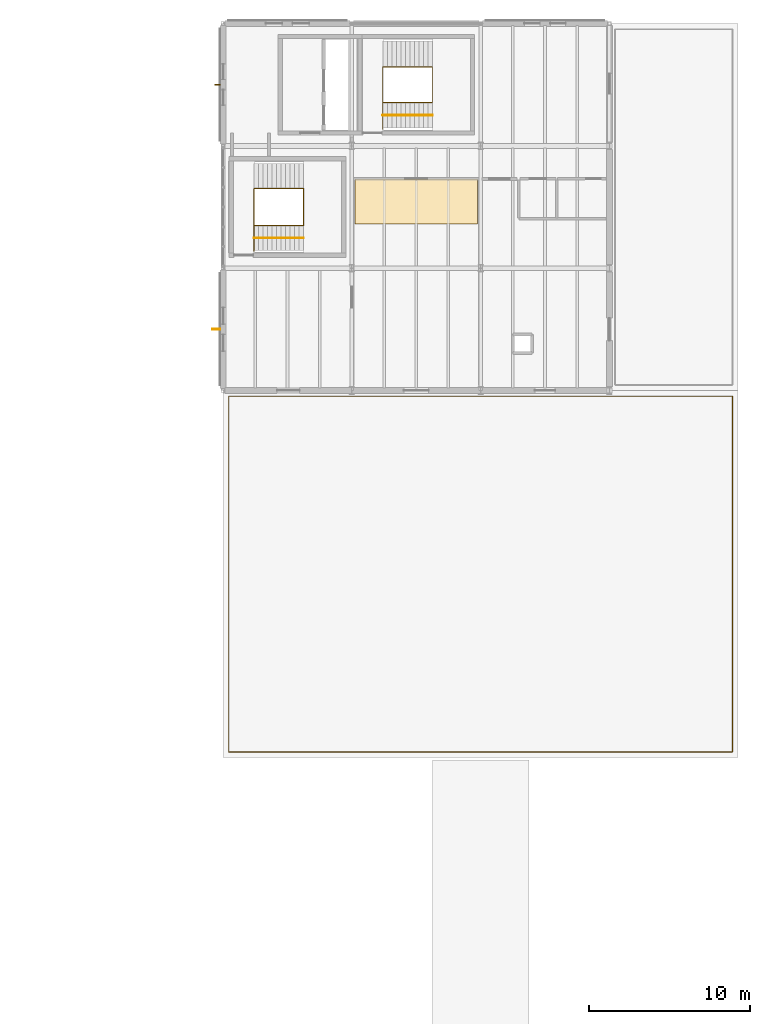
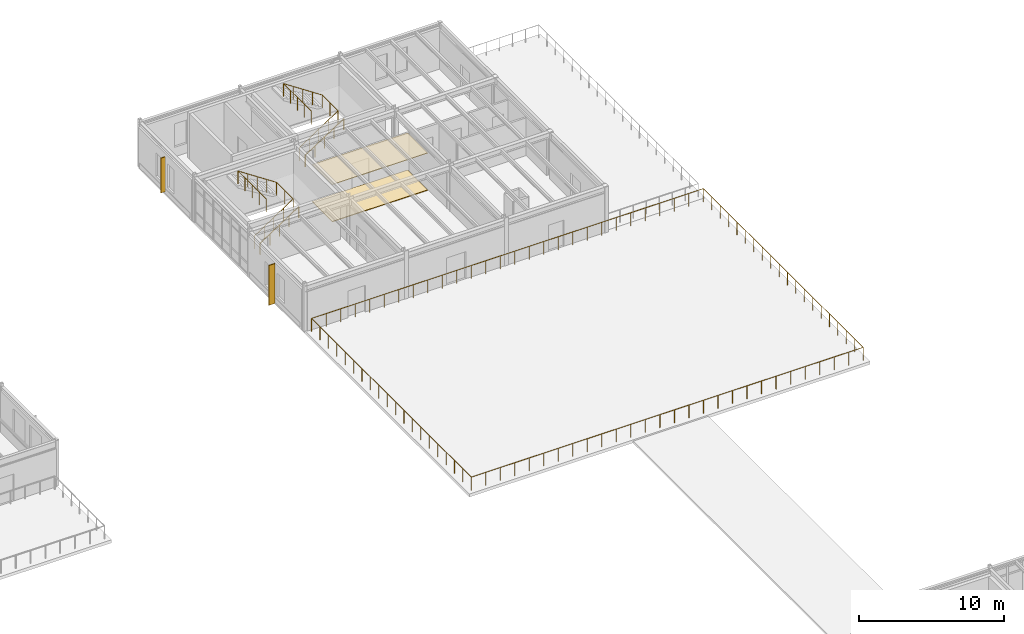
# One storey, part 113 of 114: 5 railings, 2 coverings, 2 shading devices.
"""IFC4 building model written with IfcOpenShell, lengths in metres."""

import ifcopenshell
import ifcopenshell.guid

model = None  # the IFC model being written
_history = None  # IfcOwnerHistory: only IFC2X3 demands one
_inside = {}  # id of a spatial element -> (the spatial element, [elements in it])
_under = {}  # id of a project, library or spatial element -> (it, [spatial elements below it])
_declared = {}  # id of a project -> (the project, [libraries it declares])
_typed = {}  # id of a type object -> (the type object, [elements of that type])
_made_of = {}  # id of a material, layer set ... -> (it, [elements and type objects made of it])


def new_model(schema):
    """Start an empty IFC model of exactly this schema.

    Asked for "IFC4X3", IfcOpenShell would pick the latest addendum, in which some entities
    have other attributes; the version numbers below select the first issue.
    IFC2X3 requires an IfcOwnerHistory on every rooted entity: one is made here for all.
    """
    global model, _history
    if schema == "IFC4X3":
        model = ifcopenshell.file(schema_version=(4, 3, 0, 0))
    else:
        model = ifcopenshell.file(schema=schema)
    _inside.clear()
    _under.clear()
    _declared.clear()
    _typed.clear()
    _made_of.clear()
    _history = None
    if model.schema == "IFC2X3":
        org = make("IfcOrganization", Name="unknown")
        user = make(
            "IfcPersonAndOrganization",
            ThePerson=make("IfcPerson", FamilyName="unknown"),
            TheOrganization=org,
        )
        app = make(
            "IfcApplication",
            ApplicationDeveloper=org,
            Version="unknown",
            ApplicationFullName="unknown",
            ApplicationIdentifier="unknown",
        )
        _history = make(
            "IfcOwnerHistory",
            OwningUser=user,
            OwningApplication=app,
            ChangeAction="ADDED",
            CreationDate=0,
        )
    return model


def make(cls, **values):
    """One entity of the class cls with the attributes given. An attribute that is None is left unset."""
    return model.create_entity(
        cls, **{name: value for name, value in values.items() if value is not None}
    )


def rooted(cls, **values):
    """An entity with a GlobalId (a new one), such as an element, a storey or a relation."""
    return make(cls, GlobalId=ifcopenshell.guid.new(), OwnerHistory=_history, **values)


def si_unit(unit_type, name, prefix=None):
    """IfcSIUnit, for example si_unit("LENGTHUNIT", "METRE", prefix="MILLI")."""
    return make("IfcSIUnit", UnitType=unit_type, Prefix=prefix, Name=name)


def assignment(units):
    """IfcUnitAssignment: the units of a project."""
    return None if units is None else make("IfcUnitAssignment", Units=units)


def point(xyz):
    """IfcCartesianPoint."""
    return None if xyz is None else make("IfcCartesianPoint", Coordinates=xyz)


def direction(xyz):
    """IfcDirection."""
    return None if xyz is None else make("IfcDirection", DirectionRatios=xyz)


def frame(location, z_axis=None, x_axis=None):
    """IfcAxis2Placement3D, a coordinate frame: its origin and axes. An axis left out is left unset."""
    return make(
        "IfcAxis2Placement3D",
        Location=point(location),
        Axis=direction(z_axis),
        RefDirection=direction(x_axis),
    )


def frame_2d(location, x_axis=None):
    """IfcAxis2Placement2D, a coordinate frame in the plane: its origin and x axis."""
    return make(
        "IfcAxis2Placement2D", Location=point(location), RefDirection=direction(x_axis)
    )


def origin():
    """The frame at (0, 0, 0) with its axes left unset."""
    return frame((0.0, 0.0, 0.0))


def origin_2d():
    """The frame at (0, 0) in the plane with its x axis left unset."""
    return frame_2d((0.0, 0.0))


def place(relative_to, where):
    """IfcLocalPlacement: puts the frame where relative to a parent placement (None: the world)."""
    return make(
        "IfcLocalPlacement", PlacementRelTo=relative_to, RelativePlacement=where
    )


def context(
    kind, dimensions, precision=None, world=None, true_north=None, identifier=None
):
    """IfcGeometricRepresentationContext, for example the 3D "Model" context."""
    return make(
        "IfcGeometricRepresentationContext",
        ContextIdentifier=identifier,
        ContextType=kind,
        CoordinateSpaceDimension=dimensions,
        Precision=precision,
        WorldCoordinateSystem=world,
        TrueNorth=true_north,
    )


def subcontext(parent, identifier, kind, view, scale=None):
    """IfcGeometricRepresentationSubContext, for example "Body" below "Model"."""
    return make(
        "IfcGeometricRepresentationSubContext",
        ContextIdentifier=identifier,
        ContextType=kind,
        ParentContext=parent,
        TargetScale=scale,
        TargetView=view,
    )


def project(units=None, contexts=None):
    """IfcProject with its units and contexts."""
    return rooted(
        "IfcProject",
        Name="project",
        RepresentationContexts=contexts,
        UnitsInContext=assignment(units),
    )


def spatial(cls, under=None, at=None, **own):
    """A site, building, storey or space (cls), placed at a placement, below another one or the project."""
    s = rooted(cls, ObjectPlacement=at, **own)
    if under is not None:
        _under.setdefault(under.id(), (under, []))[1].append(s)
    return s


def polyline(points):
    """IfcPolyline through the points."""
    return make("IfcPolyline", Points=[point(p) for p in points])


def profile(cls, at=None, kind="AREA", **sizes):
    """A parametric profile (cls). Its sizes go by their IFC names, for example OverallWidth=200.0."""
    return make(cls, ProfileType=kind, Position=at, **sizes)


def rectangle(**sizes):
    """IfcRectangleProfileDef."""
    return profile("IfcRectangleProfileDef", **sizes)


def circle(**sizes):
    """IfcCircleProfileDef."""
    return profile("IfcCircleProfileDef", **sizes)


def outline(outer, holes=None, kind="AREA"):
    """IfcArbitraryClosedProfileDef: a profile drawn as a closed curve; with holes, ...WithVoids."""
    if holes is None:
        return make("IfcArbitraryClosedProfileDef", ProfileType=kind, OuterCurve=outer)
    return make(
        "IfcArbitraryProfileDefWithVoids",
        ProfileType=kind,
        OuterCurve=outer,
        InnerCurves=holes,
    )


def extrude(swept, where, along, depth):
    """IfcExtrudedAreaSolid: the profile swept, set in the frame where, extruded along a direction by depth."""
    return make(
        "IfcExtrudedAreaSolid",
        SweptArea=swept,
        Position=where,
        ExtrudedDirection=direction(along),
        Depth=depth,
    )


def shape(context_of_items, identifier, shape_type, items):
    """IfcShapeRepresentation: the items that make up one representation, for example the "Body"."""
    return make(
        "IfcShapeRepresentation",
        ContextOfItems=context_of_items,
        RepresentationIdentifier=identifier,
        RepresentationType=shape_type,
        Items=items,
    )


def material(Name=None, Category=None):
    """IfcMaterial."""
    return make("IfcMaterial", Name=Name, Category=Category)


def layer(
    of_material, thickness, ventilated=None, Name=None, Category=None, Priority=None
):
    """IfcMaterialLayer: one layer of a wall or slab, of a material (None: an air gap)."""
    return make(
        "IfcMaterialLayer",
        Material=of_material,
        LayerThickness=thickness,
        IsVentilated=ventilated,
        Name=Name,
        Category=Category,
        Priority=Priority,
    )


def layer_set(layers, Name=None):
    """IfcMaterialLayerSet."""
    return make("IfcMaterialLayerSet", MaterialLayers=layers, LayerSetName=Name)


def made_of(thing, what):
    """Note that an element or type object is made of a material, layer set ...; save() writes the relation."""
    if what is not None:
        _made_of.setdefault(what.id(), (what, []))[1].append(thing)
    return thing


def type_object(cls, material=None, **own):
    """A type object (cls), such as IfcWallType, which elements share."""
    return made_of(rooted(cls, **own), material)


def element(
    cls,
    number,
    at=None,
    inside=None,
    cuts=None,
    type_object=None,
    material=None,
    context=None,
    identifier="Body",
    shape_type=None,
    held_by="IfcProductDefinitionShape",
    body=None,
    shapes=None,
    **own,
):
    """One element of the class cls, such as IfcWall. Its Tag is "e" and its number.

    at: its placement. inside: the storey or other place that contains it. cuts: it is an
    opening in that element (IfcRelVoidsElement). A single representation is given by context,
    identifier, shape_type and body (its items); several are given by shapes. held_by: the class
    of the entity that holds the representations. save() writes the other relations.
    """
    e = rooted(cls, Tag="e%d" % number, ObjectPlacement=at, **own)
    if body is not None:
        shapes = [shape(context, identifier, shape_type, body)]
    if shapes is not None:
        e.Representation = make(held_by, Representations=shapes)
    if inside is not None:
        _inside.setdefault(inside.id(), (inside, []))[1].append(e)
    if cuts is not None:
        rooted(
            "IfcRelVoidsElement", RelatingBuildingElement=cuts, RelatedOpeningElement=e
        )
    if type_object is not None:
        _typed.setdefault(type_object.id(), (type_object, []))[1].append(e)
    return made_of(e, material)


def aggregate(whole, parts):
    """IfcRelAggregates: a whole, such as a stair, and the parts it consists of."""
    return rooted("IfcRelAggregates", RelatingObject=whole, RelatedObjects=parts)


def save(model, path):
    """Write the relations noted so far, then the file.

    IfcRelAggregates (storeys below a building ...), IfcRelContainedInSpatialStructure (elements
    in a storey), IfcRelDefinesByType, IfcRelAssociatesMaterial and IfcRelDeclares: one each for
    every whole, place, type object, material and project.
    """
    for whole, parts in _under.values():
        aggregate(whole, parts)
    for where, things in _inside.values():
        rooted(
            "IfcRelContainedInSpatialStructure",
            RelatedElements=things,
            RelatingStructure=where,
        )
    for kind, things in _typed.values():
        rooted("IfcRelDefinesByType", RelatedObjects=things, RelatingType=kind)
    for what, things in _made_of.values():
        rooted("IfcRelAssociatesMaterial", RelatedObjects=things, RelatingMaterial=what)
    for by, libraries in _declared.values():
        rooted("IfcRelDeclares", RelatingContext=by, RelatedDefinitions=libraries)
    model.write(path)


model = new_model("IFC4")

# Units and contexts
model_context = context("Model", 3, precision=1e-05, world=origin(), true_north=direction((0.0, 1.0)))
body_context = subcontext(model_context, "Body", "Model", "MODEL_VIEW")
ifc_project = project(units=[si_unit("LENGTHUNIT", "METRE"), si_unit("AREAUNIT", "SQUARE_METRE"), si_unit("VOLUMEUNIT", "CUBIC_METRE"), si_unit("PLANEANGLEUNIT", "RADIAN"), si_unit("MASSUNIT", "GRAM", prefix="KILO")], contexts=[model_context])

# Site, building, storey
site_placement = place(None, origin())
site = spatial("IfcSite", under=ifc_project, at=site_placement, CompositionType="ELEMENT")
building_placement = place(site_placement, origin())
building = spatial("IfcBuilding", under=site, at=building_placement, Name="Montecoro Central Library", CompositionType="ELEMENT")
storey_placement = place(building_placement, frame((0.0, 0.0, 13.260009765625)))
storey = spatial("IfcBuildingStorey", under=building, at=storey_placement, Name="L03", CompositionType="ELEMENT", Elevation=13.260009765625)

# Coverings
ifc_material_1 = material(Name="Acoustic perforated mineral ceiling")
ifc_layer_1 = layer(ifc_material_1, 0.048095703125)
ifc_layer_set_1 = layer_set([ifc_layer_1], Name="Acoustic perforated mineral ceiling")
covering_type_1 = type_object("IfcCoveringType", Name="COV-CLG-04", PredefinedType="CEILING", material=ifc_layer_set_1)
covering_1_placement = place(storey_placement, frame((0.0, 0.0, 3.132080078125)))
element("IfcCovering", 1, at=covering_1_placement, inside=storey, type_object=covering_type_1, Name="CLG-SP-V5-L03-R2P1", PredefinedType="CEILING", context=body_context, shape_type="SweptSolid", body=[
    extrude(outline(polyline([(149.18994140625, 106.550048828125), (156.81005859375, 106.550048828125), (156.81005859375, 109.35009765625), (149.18994140625, 109.35009765625), (149.18994140625, 106.550048828125)])), origin(), (0.0, 0.0, 1.0), 0.0478515625),
])
ifc_material_2 = material(Name="Neapolitan brass-inlaid terrazzo flooring")
ifc_layer_2 = layer(ifc_material_2, 0.052001953125)
ifc_layer_set_2 = layer_set([ifc_layer_2], Name="Neapolitan brass-inlaid terrazzo flooring")
covering_type_2 = type_object("IfcCoveringType", Name="COV-FLR-04", PredefinedType="FLOORING", material=ifc_layer_set_2)
covering_2_placement = place(storey_placement, origin())
element("IfcCovering", 2, at=covering_2_placement, inside=storey, type_object=covering_type_2, Name="FLR-SP-V5-L03-R2P1", PredefinedType="FLOORING", context=body_context, shape_type="SweptSolid", body=[
    extrude(outline(polyline([(149.18994140625, 106.550048828125), (156.81005859375, 106.550048828125), (156.81005859375, 109.35009765625), (149.18994140625, 109.35009765625), (149.18994140625, 106.550048828125)])), origin(), (0.0, 0.0, 1.0), 0.052001953125),
])

# Railings
ifc_material_3 = material(Name="Architectural bronze and laminated safety balustrade", Category="aluminium")
railing_type_1 = type_object("IfcRailingType", Name="GRD-EXT-110", PredefinedType="GUARDRAIL", material=ifc_material_3)
railing_1_placement = place(storey_placement, frame((141.35009765625, 73.75, 0.0)))
element("IfcRailing", 3, at=railing_1_placement, inside=storey, type_object=railing_type_1, Name="V5-L03-TGRD-1", PredefinedType="GUARDRAIL", context=body_context, shape_type="SweptSolid", body=[
    extrude(circle(Radius=0.02392578125, at=origin_2d()), frame((0.0, 0.0, 1.09619140625), z_axis=(1.0, 0.0, 0.0), x_axis=(0.0, 1.0, 0.0)), (0.0, 0.0, 1.0), 31.2998046875),
    extrude(circle(Radius=0.02392578125, at=origin_2d()), frame((31.2998046875, 0.0, 1.09619140625), z_axis=(0.0, 1.0, 0.0), x_axis=(-1.0, 0.0, 0.0)), (0.0, 0.0, 1.0), 22.10009765625),
    extrude(circle(Radius=0.02392578125, at=origin_2d()), frame((31.2998046875, 22.10009765625, 1.09619140625), z_axis=(-1.0, 0.0, 0.0), x_axis=(0.0, -1.0, 0.0)), (0.0, 0.0, 1.0), 31.2998046875),
    extrude(circle(Radius=0.02392578125, at=origin_2d()), frame((0.0, 22.10009765625, 1.09619140625), z_axis=(0.0, -1.0, 0.0), x_axis=(1.0, 0.0, 0.0)), (0.0, 0.0, 1.0), 22.10009765625),
    extrude(circle(Radius=0.02099609375, at=origin_2d()), origin(), (0.0, 0.0, 1.0), 1.072021484375),
    extrude(circle(Radius=0.02099609375, at=origin_2d()), frame((1.1591796875, 0.0, 0.0)), (0.0, 0.0, 1.0), 1.072021484375),
    extrude(circle(Radius=0.02099609375, at=origin_2d()), frame((2.318603515625, 0.0, 0.0)), (0.0, 0.0, 1.0), 1.072021484375),
    extrude(circle(Radius=0.02099609375, at=origin_2d()), frame((3.477783203125, 0.0, 0.0)), (0.0, 0.0, 1.0), 1.072021484375),
    extrude(circle(Radius=0.02099609375, at=origin_2d()), frame((4.636962890625, 0.0, 0.0)), (0.0, 0.0, 1.0), 1.072021484375),
    extrude(circle(Radius=0.02099609375, at=origin_2d()), frame((5.796142578125, 0.0, 0.0)), (0.0, 0.0, 1.0), 1.072021484375),
    extrude(circle(Radius=0.02099609375, at=origin_2d()), frame((6.95556640625, 0.0, 0.0)), (0.0, 0.0, 1.0), 1.072021484375),
    extrude(circle(Radius=0.02099609375, at=origin_2d()), frame((8.11474609375, 0.0, 0.0)), (0.0, 0.0, 1.0), 1.072021484375),
    extrude(circle(Radius=0.02099609375, at=origin_2d()), frame((9.27392578125, 0.0, 0.0)), (0.0, 0.0, 1.0), 1.072021484375),
    extrude(circle(Radius=0.02099609375, at=origin_2d()), frame((10.433349609375, 0.0, 0.0)), (0.0, 0.0, 1.0), 1.072021484375),
    extrude(circle(Radius=0.02099609375, at=origin_2d()), frame((11.592529296875, 0.0, 0.0)), (0.0, 0.0, 1.0), 1.072021484375),
    extrude(circle(Radius=0.02099609375, at=origin_2d()), frame((12.751708984375, 0.0, 0.0)), (0.0, 0.0, 1.0), 1.072021484375),
    extrude(circle(Radius=0.02099609375, at=origin_2d()), frame((13.9111328125, 0.0, 0.0)), (0.0, 0.0, 1.0), 1.072021484375),
    extrude(circle(Radius=0.02099609375, at=origin_2d()), frame((15.0703125, 0.0, 0.0)), (0.0, 0.0, 1.0), 1.072021484375),
    extrude(circle(Radius=0.02099609375, at=origin_2d()), frame((16.2294921875, 0.0, 0.0)), (0.0, 0.0, 1.0), 1.072021484375),
    extrude(circle(Radius=0.02099609375, at=origin_2d()), frame((17.388671875, 0.0, 0.0)), (0.0, 0.0, 1.0), 1.072021484375),
    extrude(circle(Radius=0.02099609375, at=origin_2d()), frame((18.548095703125, 0.0, 0.0)), (0.0, 0.0, 1.0), 1.072021484375),
    extrude(circle(Radius=0.02099609375, at=origin_2d()), frame((19.707275390625, 0.0, 0.0)), (0.0, 0.0, 1.0), 1.072021484375),
    extrude(circle(Radius=0.02099609375, at=origin_2d()), frame((20.866455078125, 0.0, 0.0)), (0.0, 0.0, 1.0), 1.072021484375),
    extrude(circle(Radius=0.02099609375, at=origin_2d()), frame((22.02587890625, 0.0, 0.0)), (0.0, 0.0, 1.0), 1.072021484375),
    extrude(circle(Radius=0.02099609375, at=origin_2d()), frame((23.18505859375, 0.0, 0.0)), (0.0, 0.0, 1.0), 1.072021484375),
    extrude(circle(Radius=0.02099609375, at=origin_2d()), frame((24.34423828125, 0.0, 0.0)), (0.0, 0.0, 1.0), 1.072021484375),
    extrude(circle(Radius=0.02099609375, at=origin_2d()), frame((25.503662109375, 0.0, 0.0)), (0.0, 0.0, 1.0), 1.072021484375),
    extrude(circle(Radius=0.02099609375, at=origin_2d()), frame((26.662841796875, 0.0, 0.0)), (0.0, 0.0, 1.0), 1.072021484375),
    extrude(circle(Radius=0.02099609375, at=origin_2d()), frame((27.822021484375, 0.0, 0.0)), (0.0, 0.0, 1.0), 1.072021484375),
    extrude(circle(Radius=0.02099609375, at=origin_2d()), frame((28.981201171875, 0.0, 0.0)), (0.0, 0.0, 1.0), 1.072021484375),
    extrude(circle(Radius=0.02099609375, at=origin_2d()), frame((30.140625, 0.0, 0.0)), (0.0, 0.0, 1.0), 1.072021484375),
    extrude(circle(Radius=0.02099609375, at=origin_2d()), frame((31.2998046875, 0.0, 0.0)), (0.0, 0.0, 1.0), 1.072021484375),
    extrude(circle(Radius=0.02099609375, at=origin_2d()), frame((31.2998046875, 1.1630859375, 0.0)), (0.0, 0.0, 1.0), 1.072021484375),
    extrude(circle(Radius=0.02099609375, at=origin_2d()), frame((31.2998046875, 2.326416015625, 0.0)), (0.0, 0.0, 1.0), 1.072021484375),
    extrude(circle(Radius=0.02099609375, at=origin_2d()), frame((31.2998046875, 3.489501953125, 0.0)), (0.0, 0.0, 1.0), 1.072021484375),
    extrude(circle(Radius=0.02099609375, at=origin_2d()), frame((31.2998046875, 4.652587890625, 0.0)), (0.0, 0.0, 1.0), 1.072021484375),
    extrude(circle(Radius=0.02099609375, at=origin_2d()), frame((31.2998046875, 5.81591796875, 0.0)), (0.0, 0.0, 1.0), 1.072021484375),
    extrude(circle(Radius=0.02099609375, at=origin_2d()), frame((31.2998046875, 6.97900390625, 0.0)), (0.0, 0.0, 1.0), 1.072021484375),
    extrude(circle(Radius=0.02099609375, at=origin_2d()), frame((31.2998046875, 8.14208984375, 0.0)), (0.0, 0.0, 1.0), 1.072021484375),
    extrude(circle(Radius=0.02099609375, at=origin_2d()), frame((31.2998046875, 9.305419921875, 0.0)), (0.0, 0.0, 1.0), 1.072021484375),
    extrude(circle(Radius=0.02099609375, at=origin_2d()), frame((31.2998046875, 10.468505859375, 0.0)), (0.0, 0.0, 1.0), 1.072021484375),
    extrude(circle(Radius=0.02099609375, at=origin_2d()), frame((31.2998046875, 11.631591796875, 0.0)), (0.0, 0.0, 1.0), 1.072021484375),
    extrude(circle(Radius=0.02099609375, at=origin_2d()), frame((31.2998046875, 12.794677734375, 0.0)), (0.0, 0.0, 1.0), 1.072021484375),
    extrude(circle(Radius=0.02099609375, at=origin_2d()), frame((31.2998046875, 13.9580078125, 0.0)), (0.0, 0.0, 1.0), 1.072021484375),
    extrude(circle(Radius=0.02099609375, at=origin_2d()), frame((31.2998046875, 15.12109375, 0.0)), (0.0, 0.0, 1.0), 1.072021484375),
    extrude(circle(Radius=0.02099609375, at=origin_2d()), frame((31.2998046875, 16.2841796875, 0.0)), (0.0, 0.0, 1.0), 1.072021484375),
    extrude(circle(Radius=0.02099609375, at=origin_2d()), frame((31.2998046875, 17.447509765625, 0.0)), (0.0, 0.0, 1.0), 1.072021484375),
    extrude(circle(Radius=0.02099609375, at=origin_2d()), frame((31.2998046875, 18.610595703125, 0.0)), (0.0, 0.0, 1.0), 1.072021484375),
    extrude(circle(Radius=0.02099609375, at=origin_2d()), frame((31.2998046875, 19.773681640625, 0.0)), (0.0, 0.0, 1.0), 1.072021484375),
    extrude(circle(Radius=0.02099609375, at=origin_2d()), frame((31.2998046875, 20.93701171875, 0.0)), (0.0, 0.0, 1.0), 1.072021484375),
    extrude(circle(Radius=0.02099609375, at=origin_2d()), frame((31.2998046875, 22.10009765625, 0.0)), (0.0, 0.0, 1.0), 1.072021484375),
    extrude(circle(Radius=0.02099609375, at=origin_2d()), frame((30.140625, 22.10009765625, 0.0)), (0.0, 0.0, 1.0), 1.072021484375),
    extrude(circle(Radius=0.02099609375, at=origin_2d()), frame((28.981201171875, 22.10009765625, 0.0)), (0.0, 0.0, 1.0), 1.072021484375),
    extrude(circle(Radius=0.02099609375, at=origin_2d()), frame((27.822021484375, 22.10009765625, 0.0)), (0.0, 0.0, 1.0), 1.072021484375),
    extrude(circle(Radius=0.02099609375, at=origin_2d()), frame((26.662841796875, 22.10009765625, 0.0)), (0.0, 0.0, 1.0), 1.072021484375),
    extrude(circle(Radius=0.02099609375, at=origin_2d()), frame((25.503662109375, 22.10009765625, 0.0)), (0.0, 0.0, 1.0), 1.072021484375),
    extrude(circle(Radius=0.02099609375, at=origin_2d()), frame((24.34423828125, 22.10009765625, 0.0)), (0.0, 0.0, 1.0), 1.072021484375),
    extrude(circle(Radius=0.02099609375, at=origin_2d()), frame((23.18505859375, 22.10009765625, 0.0)), (0.0, 0.0, 1.0), 1.072021484375),
    extrude(circle(Radius=0.02099609375, at=origin_2d()), frame((22.02587890625, 22.10009765625, 0.0)), (0.0, 0.0, 1.0), 1.072021484375),
    extrude(circle(Radius=0.02099609375, at=origin_2d()), frame((20.866455078125, 22.10009765625, 0.0)), (0.0, 0.0, 1.0), 1.072021484375),
    extrude(circle(Radius=0.02099609375, at=origin_2d()), frame((19.707275390625, 22.10009765625, 0.0)), (0.0, 0.0, 1.0), 1.072021484375),
    extrude(circle(Radius=0.02099609375, at=origin_2d()), frame((18.548095703125, 22.10009765625, 0.0)), (0.0, 0.0, 1.0), 1.072021484375),
    extrude(circle(Radius=0.02099609375, at=origin_2d()), frame((17.388671875, 22.10009765625, 0.0)), (0.0, 0.0, 1.0), 1.072021484375),
    extrude(circle(Radius=0.02099609375, at=origin_2d()), frame((16.2294921875, 22.10009765625, 0.0)), (0.0, 0.0, 1.0), 1.072021484375),
    extrude(circle(Radius=0.02099609375, at=origin_2d()), frame((15.0703125, 22.10009765625, 0.0)), (0.0, 0.0, 1.0), 1.072021484375),
    extrude(circle(Radius=0.02099609375, at=origin_2d()), frame((13.9111328125, 22.10009765625, 0.0)), (0.0, 0.0, 1.0), 1.072021484375),
    extrude(circle(Radius=0.02099609375, at=origin_2d()), frame((12.751708984375, 22.10009765625, 0.0)), (0.0, 0.0, 1.0), 1.072021484375),
    extrude(circle(Radius=0.02099609375, at=origin_2d()), frame((11.592529296875, 22.10009765625, 0.0)), (0.0, 0.0, 1.0), 1.072021484375),
    extrude(circle(Radius=0.02099609375, at=origin_2d()), frame((10.433349609375, 22.10009765625, 0.0)), (0.0, 0.0, 1.0), 1.072021484375),
    extrude(circle(Radius=0.02099609375, at=origin_2d()), frame((9.27392578125, 22.10009765625, 0.0)), (0.0, 0.0, 1.0), 1.072021484375),
    extrude(circle(Radius=0.02099609375, at=origin_2d()), frame((8.11474609375, 22.10009765625, 0.0)), (0.0, 0.0, 1.0), 1.072021484375),
    extrude(circle(Radius=0.02099609375, at=origin_2d()), frame((6.95556640625, 22.10009765625, 0.0)), (0.0, 0.0, 1.0), 1.072021484375),
    extrude(circle(Radius=0.02099609375, at=origin_2d()), frame((5.796142578125, 22.10009765625, 0.0)), (0.0, 0.0, 1.0), 1.072021484375),
    extrude(circle(Radius=0.02099609375, at=origin_2d()), frame((4.636962890625, 22.10009765625, 0.0)), (0.0, 0.0, 1.0), 1.072021484375),
    extrude(circle(Radius=0.02099609375, at=origin_2d()), frame((3.477783203125, 22.10009765625, 0.0)), (0.0, 0.0, 1.0), 1.072021484375),
    extrude(circle(Radius=0.02099609375, at=origin_2d()), frame((2.318603515625, 22.10009765625, 0.0)), (0.0, 0.0, 1.0), 1.072021484375),
    extrude(circle(Radius=0.02099609375, at=origin_2d()), frame((1.1591796875, 22.10009765625, 0.0)), (0.0, 0.0, 1.0), 1.072021484375),
    extrude(circle(Radius=0.02099609375, at=origin_2d()), frame((0.0, 22.10009765625, 0.0)), (0.0, 0.0, 1.0), 1.072021484375),
    extrude(circle(Radius=0.02099609375, at=origin_2d()), frame((0.0, 20.93701171875, 0.0)), (0.0, 0.0, 1.0), 1.072021484375),
    extrude(circle(Radius=0.02099609375, at=origin_2d()), frame((0.0, 19.773681640625, 0.0)), (0.0, 0.0, 1.0), 1.072021484375),
    extrude(circle(Radius=0.02099609375, at=origin_2d()), frame((0.0, 18.610595703125, 0.0)), (0.0, 0.0, 1.0), 1.072021484375),
    extrude(circle(Radius=0.02099609375, at=origin_2d()), frame((0.0, 17.447509765625, 0.0)), (0.0, 0.0, 1.0), 1.072021484375),
    extrude(circle(Radius=0.02099609375, at=origin_2d()), frame((0.0, 16.2841796875, 0.0)), (0.0, 0.0, 1.0), 1.072021484375),
    extrude(circle(Radius=0.02099609375, at=origin_2d()), frame((0.0, 15.12109375, 0.0)), (0.0, 0.0, 1.0), 1.072021484375),
    extrude(circle(Radius=0.02099609375, at=origin_2d()), frame((0.0, 13.9580078125, 0.0)), (0.0, 0.0, 1.0), 1.072021484375),
    extrude(circle(Radius=0.02099609375, at=origin_2d()), frame((0.0, 12.794677734375, 0.0)), (0.0, 0.0, 1.0), 1.072021484375),
    extrude(circle(Radius=0.02099609375, at=origin_2d()), frame((0.0, 11.631591796875, 0.0)), (0.0, 0.0, 1.0), 1.072021484375),
    extrude(circle(Radius=0.02099609375, at=origin_2d()), frame((0.0, 10.468505859375, 0.0)), (0.0, 0.0, 1.0), 1.072021484375),
    extrude(circle(Radius=0.02099609375, at=origin_2d()), frame((0.0, 9.305419921875, 0.0)), (0.0, 0.0, 1.0), 1.072021484375),
    extrude(circle(Radius=0.02099609375, at=origin_2d()), frame((0.0, 8.14208984375, 0.0)), (0.0, 0.0, 1.0), 1.072021484375),
    extrude(circle(Radius=0.02099609375, at=origin_2d()), frame((0.0, 6.97900390625, 0.0)), (0.0, 0.0, 1.0), 1.072021484375),
    extrude(circle(Radius=0.02099609375, at=origin_2d()), frame((0.0, 5.81591796875, 0.0)), (0.0, 0.0, 1.0), 1.072021484375),
    extrude(circle(Radius=0.02099609375, at=origin_2d()), frame((0.0, 4.652587890625, 0.0)), (0.0, 0.0, 1.0), 1.072021484375),
    extrude(circle(Radius=0.02099609375, at=origin_2d()), frame((0.0, 3.489501953125, 0.0)), (0.0, 0.0, 1.0), 1.072021484375),
    extrude(circle(Radius=0.02099609375, at=origin_2d()), frame((0.0, 2.326416015625, 0.0)), (0.0, 0.0, 1.0), 1.072021484375),
    extrude(circle(Radius=0.02099609375, at=origin_2d()), frame((0.0, 1.1630859375, 0.0)), (0.0, 0.0, 1.0), 1.072021484375),
])
ifc_material_4 = material(Name="Brushed stainless steel and bronze balustrade", Category="steel")
railing_type_2 = type_object("IfcRailingType", Name="GRD-INT-110", PredefinedType="GUARDRAIL", material=ifc_material_4)
railing_2_placement = place(storey_placement, frame((150.919921875, 114.10009765625, 0.0)))
element("IfcRailing", 4, at=railing_2_placement, inside=storey, type_object=railing_type_2, Name="C6-L03-STR-GRD", PredefinedType="GUARDRAIL", context=body_context, shape_type="SweptSolid", body=[
    extrude(circle(Radius=0.02392578125, at=origin_2d()), frame((0.0, 0.0, 1.09619140625), z_axis=(0.833713881912, 0.0, 0.552196670677), x_axis=(0.0, 1.0, 0.0)), (0.0, 0.0, 1.0), 3.6943359375),
    extrude(circle(Radius=0.02392578125, at=origin_2d()), frame((3.080078125, 0.0, 3.13623046875), z_axis=(0.0, 1.0, 0.0), x_axis=(-1.0, 0.0, 0.0)), (0.0, 0.0, 1.0), 2.199951171875),
    extrude(circle(Radius=0.02392578125, at=origin_2d()), frame((3.080078125, 2.199951171875, 3.13623046875), z_axis=(-0.833713881912, 0.0, 0.552196670677), x_axis=(0.0, -1.0, 0.0)), (0.0, 0.0, 1.0), 3.6943359375),
    extrude(circle(Radius=0.02392578125, at=origin_2d()), frame((0.0, 2.199951171875, 5.17626953125), z_axis=(0.0, -1.0, 0.0), x_axis=(1.0, 0.0, 0.0)), (0.0, 0.0, 1.0), 3.85009765625),
    extrude(circle(Radius=0.02099609375, at=origin_2d()), origin(), (0.0, 0.0, 1.0), 1.072021484375),
    extrude(circle(Radius=0.02099609375, at=origin_2d()), frame((0.77001953125, 0.0, 0.510009765625)), (0.0, 0.0, 1.0), 1.072021484375),
    extrude(circle(Radius=0.02099609375, at=origin_2d()), frame((1.5400390625, 0.0, 1.02001953125)), (0.0, 0.0, 1.0), 1.072021484375),
    extrude(circle(Radius=0.02099609375, at=origin_2d()), frame((2.31005859375, 0.0, 1.530029296875)), (0.0, 0.0, 1.0), 1.072021484375),
    extrude(circle(Radius=0.02099609375, at=origin_2d()), frame((3.080078125, 0.0, 2.0400390625)), (0.0, 0.0, 1.0), 1.072021484375),
    extrude(circle(Radius=0.02099609375, at=origin_2d()), frame((3.080078125, 1.10009765625, 2.0400390625)), (0.0, 0.0, 1.0), 1.072021484375),
    extrude(circle(Radius=0.02099609375, at=origin_2d()), frame((3.080078125, 2.199951171875, 2.0400390625)), (0.0, 0.0, 1.0), 1.072021484375),
    extrude(circle(Radius=0.02099609375, at=origin_2d()), frame((2.31005859375, 2.199951171875, 2.550048828125)), (0.0, 0.0, 1.0), 1.072021484375),
    extrude(circle(Radius=0.02099609375, at=origin_2d()), frame((1.5400390625, 2.199951171875, 3.06005859375)), (0.0, 0.0, 1.0), 1.072021484375),
    extrude(circle(Radius=0.02099609375, at=origin_2d()), frame((0.77001953125, 2.199951171875, 3.570068359375)), (0.0, 0.0, 1.0), 1.072021484375),
    extrude(circle(Radius=0.02099609375, at=origin_2d()), frame((0.0, 2.199951171875, 4.080078125)), (0.0, 0.0, 1.0), 1.072021484375),
    extrude(circle(Radius=0.02099609375, at=origin_2d()), frame((0.0, 1.2373046875, 4.080078125)), (0.0, 0.0, 1.0), 1.072021484375),
    extrude(circle(Radius=0.02099609375, at=origin_2d()), frame((0.0, 0.27490234375, 4.080078125)), (0.0, 0.0, 1.0), 1.072021484375),
    extrude(circle(Radius=0.02099609375, at=origin_2d()), frame((0.0, -0.6875, 4.080078125)), (0.0, 0.0, 1.0), 1.072021484375),
    extrude(circle(Radius=0.02099609375, at=origin_2d()), frame((0.0, -1.650146484375, 4.080078125)), (0.0, 0.0, 1.0), 1.072021484375),
])
railing_3_placement = place(storey_placement, frame((142.919921875, 106.449951171875, 0.0)))
element("IfcRailing", 5, at=railing_3_placement, inside=storey, type_object=railing_type_2, Name="C8-L03-STR-GRD", PredefinedType="GUARDRAIL", context=body_context, shape_type="SweptSolid", body=[
    extrude(circle(Radius=0.02392578125, at=origin_2d()), frame((0.0, 0.0, 1.09619140625), z_axis=(0.833713881912, 0.0, 0.552196670677), x_axis=(0.0, 1.0, 0.0)), (0.0, 0.0, 1.0), 3.6943359375),
    extrude(circle(Radius=0.02392578125, at=origin_2d()), frame((3.080078125, 0.0, 3.13623046875), z_axis=(0.0, 1.0, 0.0), x_axis=(-1.0, 0.0, 0.0)), (0.0, 0.0, 1.0), 2.300048828125),
    extrude(circle(Radius=0.02392578125, at=origin_2d()), frame((3.080078125, 2.300048828125, 3.13623046875), z_axis=(-0.833713881912, 0.0, 0.552196670677), x_axis=(0.0, -1.0, 0.0)), (0.0, 0.0, 1.0), 3.6943359375),
    extrude(circle(Radius=0.02392578125, at=origin_2d()), frame((0.0, 2.300048828125, 5.17626953125), z_axis=(0.0, -1.0, 0.0), x_axis=(1.0, 0.0, 0.0)), (0.0, 0.0, 1.0), 3.89990234375),
    extrude(circle(Radius=0.02099609375, at=origin_2d()), origin(), (0.0, 0.0, 1.0), 1.072021484375),
    extrude(circle(Radius=0.02099609375, at=origin_2d()), frame((0.77001953125, 0.0, 0.510009765625)), (0.0, 0.0, 1.0), 1.072021484375),
    extrude(circle(Radius=0.02099609375, at=origin_2d()), frame((1.5400390625, 0.0, 1.02001953125)), (0.0, 0.0, 1.0), 1.072021484375),
    extrude(circle(Radius=0.02099609375, at=origin_2d()), frame((2.31005859375, 0.0, 1.530029296875)), (0.0, 0.0, 1.0), 1.072021484375),
    extrude(circle(Radius=0.02099609375, at=origin_2d()), frame((3.080078125, 0.0, 2.0400390625)), (0.0, 0.0, 1.0), 1.072021484375),
    extrude(circle(Radius=0.02099609375, at=origin_2d()), frame((3.080078125, 1.14990234375, 2.0400390625)), (0.0, 0.0, 1.0), 1.072021484375),
    extrude(circle(Radius=0.02099609375, at=origin_2d()), frame((3.080078125, 2.300048828125, 2.0400390625)), (0.0, 0.0, 1.0), 1.072021484375),
    extrude(circle(Radius=0.02099609375, at=origin_2d()), frame((2.31005859375, 2.300048828125, 2.550048828125)), (0.0, 0.0, 1.0), 1.072021484375),
    extrude(circle(Radius=0.02099609375, at=origin_2d()), frame((1.5400390625, 2.300048828125, 3.06005859375)), (0.0, 0.0, 1.0), 1.072021484375),
    extrude(circle(Radius=0.02099609375, at=origin_2d()), frame((0.77001953125, 2.300048828125, 3.570068359375)), (0.0, 0.0, 1.0), 1.072021484375),
    extrude(circle(Radius=0.02099609375, at=origin_2d()), frame((0.0, 2.300048828125, 4.080078125)), (0.0, 0.0, 1.0), 1.072021484375),
    extrude(circle(Radius=0.02099609375, at=origin_2d()), frame((0.0, 1.3251953125, 4.080078125)), (0.0, 0.0, 1.0), 1.072021484375),
    extrude(circle(Radius=0.02099609375, at=origin_2d()), frame((0.0, 0.35009765625, 4.080078125)), (0.0, 0.0, 1.0), 1.072021484375),
    extrude(circle(Radius=0.02099609375, at=origin_2d()), frame((0.0, -0.625, 4.080078125)), (0.0, 0.0, 1.0), 1.072021484375),
    extrude(circle(Radius=0.02099609375, at=origin_2d()), frame((0.0, -1.599853515625, 4.080078125)), (0.0, 0.0, 1.0), 1.072021484375),
])
ifc_material_5 = material(Name="Brushed architectural bronze handrail")
railing_type_3 = type_object("IfcRailingType", Name="HRL-STR-095", PredefinedType="HANDRAIL", material=ifc_material_5)
for number, where, name in (
    (6, (150.919921875, 113.300048828125, 0.0), "C6-L03-STR-HR1"),
    (7, (142.919921875, 105.675048828125, 0.0), "C8-L03-STR-HR1"),
):
    element("IfcRailing", number, at=place(storey_placement, frame(where)), inside=storey, type_object=railing_type_3, Name=name, PredefinedType="HANDRAIL", context=body_context, shape_type="SweptSolid", body=[
        extrude(circle(Radius=0.02392578125, at=origin_2d()), frame((0.0, 0.0, 0.92578125), z_axis=(0.833713881912, 0.0, 0.552196670677), x_axis=(0.0, 1.0, 0.0)), (0.0, 0.0, 1.0), 3.6943359375),
        extrude(circle(Radius=0.02099609375, at=origin_2d()), origin(), (0.0, 0.0, 1.0), 0.90185546875),
        extrude(circle(Radius=0.02099609375, at=origin_2d()), frame((0.77001953125, 0.0, 0.510009765625)), (0.0, 0.0, 1.0), 0.90185546875),
        extrude(circle(Radius=0.02099609375, at=origin_2d()), frame((1.5400390625, 0.0, 1.02001953125)), (0.0, 0.0, 1.0), 0.90185546875),
        extrude(circle(Radius=0.02099609375, at=origin_2d()), frame((2.31005859375, 0.0, 1.530029296875)), (0.0, 0.0, 1.0), 0.90185546875),
        extrude(circle(Radius=0.02099609375, at=origin_2d()), frame((3.080078125, 0.0, 2.0400390625)), (0.0, 0.0, 1.0), 0.90185546875),
    ])

# Shading devices
ifc_material_6 = material(Name="Architectural bronze solar fin", Category="aluminium")
shading_device_type_1 = type_object("IfcShadingDeviceType", Name="SHD-FIN-12", PredefinedType="USERDEFINED", material=ifc_material_6)
shading_device_1_placement = place(storey_placement, frame((140.569580078125, 100.0, 0.06005859375), z_axis=(0.0, 0.0, 1.0), x_axis=(0.0, -1.0, 0.0)))
element("IfcShadingDevice", 8, at=shading_device_1_placement, inside=storey, type_object=shading_device_type_1, Name="V5-L03-FIN-W0", ObjectType="SOLAR FIN", PredefinedType="USERDEFINED", context=body_context, shape_type="SweptSolid", body=[
    extrude(rectangle(XDim=0.06005859375, YDim=0.5, at=origin_2d()), origin(), (0.0, 0.0, 1.0), 3.360107421875),
])
shading_device_type_2 = type_object("IfcShadingDeviceType", Name="SHD-FIN-14", PredefinedType="USERDEFINED", material=ifc_material_6)
shading_device_2_placement = place(storey_placement, frame((140.6494140625, 115.199951171875, 0.26513671875), z_axis=(0.0, 0.0, 1.0), x_axis=(0.0, -1.0, 0.0)))
element("IfcShadingDevice", 9, at=shading_device_2_placement, inside=storey, type_object=shading_device_type_2, Name="V5-L03-FIN-W2", ObjectType="SOLAR FIN", PredefinedType="USERDEFINED", context=body_context, shape_type="SweptSolid", body=[
    extrude(rectangle(XDim=0.06005859375, YDim=0.340087890625, at=origin_2d()), origin(), (0.0, 0.0, 1.0), 2.949951171875),
])

save(model, "model.ifc")
